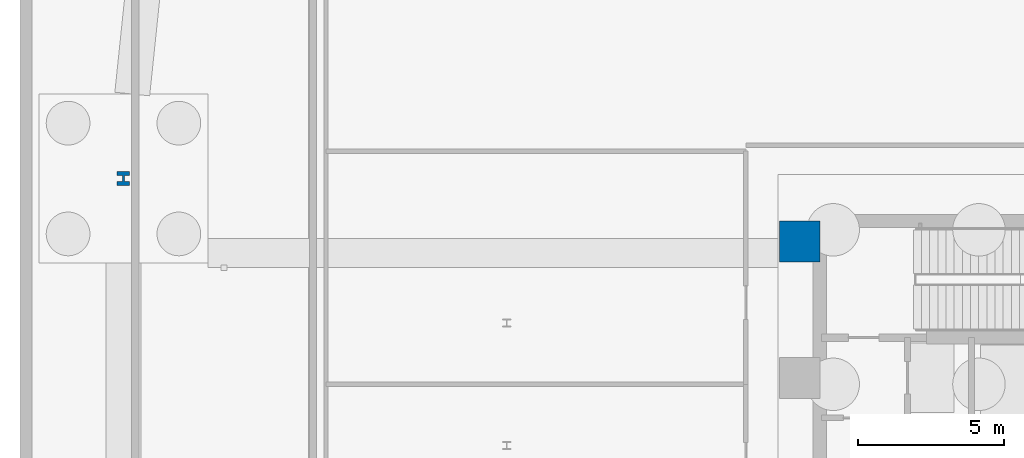
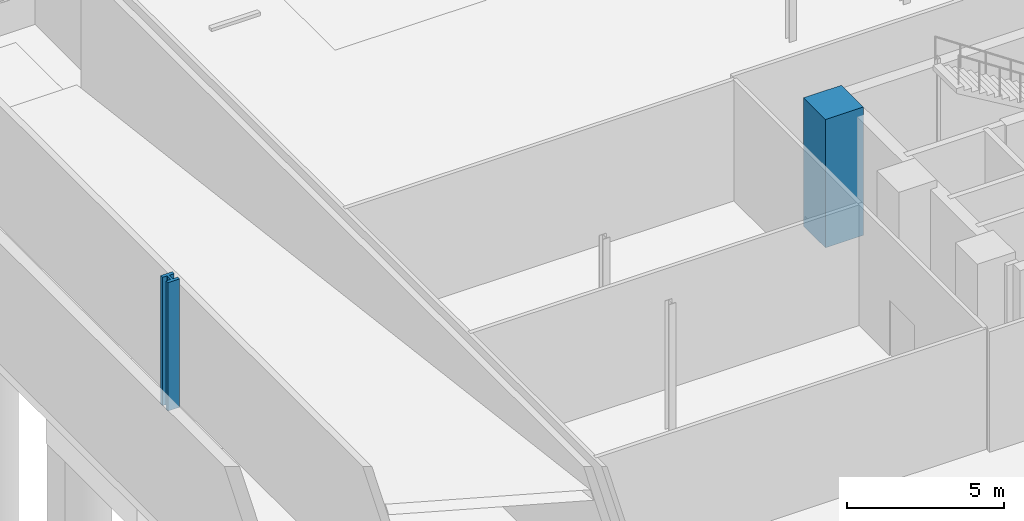
# One storey, part 4 of 16: 2 columns.
"""IFC4 building model written with IfcOpenShell, lengths in metres."""

from ifc_helpers import new_model, si_unit, direction, frame, origin, origin_2d, place, context, subcontext, project, spatial, rectangle, i_section, extrude, material, material_profile, profile_set, type_object, element, save


model = new_model("IFC4")

# Units and contexts
model_context = context("Model", 3, precision=1e-05, world=origin(), true_north=direction((0.0, 1.0)))
body_context = subcontext(model_context, "Body", "Model", "MODEL_VIEW")
ifc_project = project(units=[si_unit("LENGTHUNIT", "METRE"), si_unit("AREAUNIT", "SQUARE_METRE"), si_unit("VOLUMEUNIT", "CUBIC_METRE"), si_unit("PLANEANGLEUNIT", "RADIAN"), si_unit("MASSUNIT", "GRAM", prefix="KILO")], contexts=[model_context])

# Site, building, storey
site_placement = place(None, origin())
site = spatial("IfcSite", under=ifc_project, at=site_placement, CompositionType="ELEMENT")
building_placement = place(site_placement, origin())
building = spatial("IfcBuilding", under=site, at=building_placement, Name="Menara Jurai Vektor", CompositionType="ELEMENT")
storey_placement = place(building_placement, frame((0.0, 0.0, -5.0)))
storey = spatial("IfcBuildingStorey", under=building, at=storey_placement, Name="B1", CompositionType="ELEMENT", Elevation=-5.0)

# Columns
ifc_material_1 = material(Name="Concrete C60/75", Category="concrete")
ifc_material_profile_1 = material_profile(ifc_material_1, rectangle(XDim=1.39990234375, YDim=1.39990234375, at=origin_2d()), Name="RC 1400x1400")
ifc_profile_set_1 = profile_set([ifc_material_profile_1], Name="Concrete C60/75")
column_type_1 = type_object("IfcColumnType", Name="STR-COL-RC1400", PredefinedType="COLUMN", material=ifc_profile_set_1)
column_1_placement = place(storey_placement, frame((-15.25, 4.89990234375, 0.0), z_axis=(0.0, 0.0, 1.0), x_axis=(1.0, 0.0, 0.0)))
element("IfcColumn", 1, at=column_1_placement, inside=storey, type_object=column_type_1, Name="Core Spine Column CW-NW B1", PredefinedType="COLUMN", context=body_context, shape_type="SweptSolid", body=[
    extrude(rectangle(XDim=1.39990234375, YDim=1.39990234375, at=origin_2d()), origin(), (0.0, 0.0, 1.0), 5.0),
])
ifc_material_2 = material(Name="Steel S460", Category="steel")
ifc_material_profile_2 = material_profile(ifc_material_2, i_section(OverallWidth=0.427978515625, OverallDepth=0.468994140625, WebThickness=0.077880859375, FlangeThickness=0.125, FilletRadius=0.014892578125, at=origin_2d()), Name="HD 400x1086")
ifc_profile_set_2 = profile_set([ifc_material_profile_2], Name="Steel S460")
column_type_2 = type_object("IfcColumnType", Name="STR-PILOTIS-HD1086", PredefinedType="USERDEFINED", material=ifc_profile_set_2)
column_2_placement = place(storey_placement, frame((-38.449951171875, 7.059326171875, 0.0), z_axis=(0.0, 0.0, 1.0), x_axis=(1.0, 0.0, 0.0)))
element("IfcColumn", 2, at=column_2_placement, inside=storey, type_object=column_type_2, Name="Open Pilotis Stilt Column PLT-W2 B1", ObjectType="PILOTIS", PredefinedType="USERDEFINED", context=body_context, shape_type="SweptSolid", body=[
    extrude(i_section(OverallWidth=0.427978515625, OverallDepth=0.468994140625, WebThickness=0.077880859375, FlangeThickness=0.125, FilletRadius=0.014892578125, at=origin_2d()), origin(), (0.0, 0.0, 1.0), 5.0),
])

save(model, "model.ifc")
